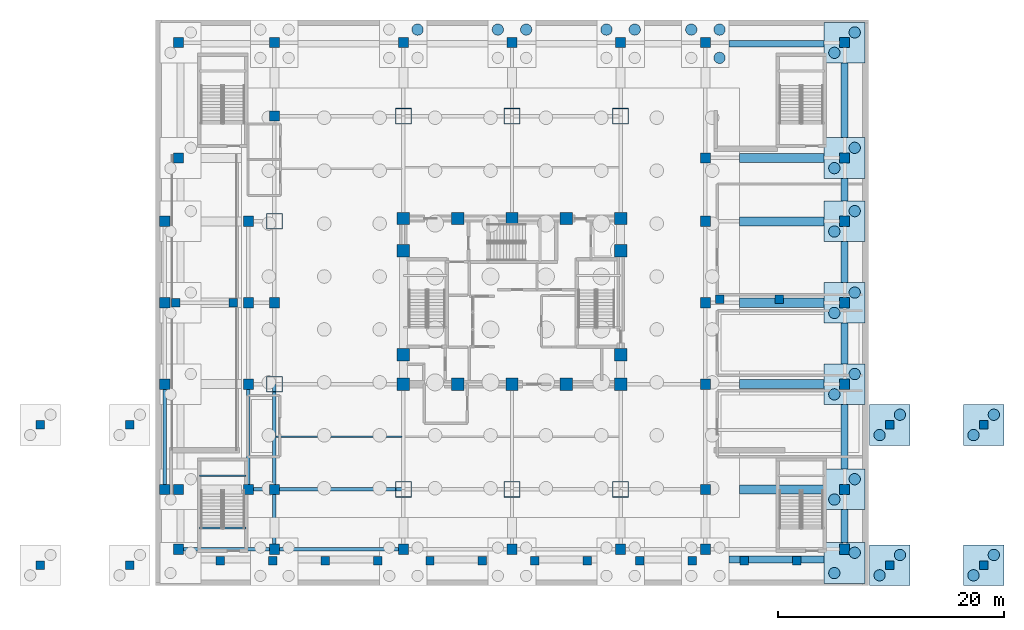
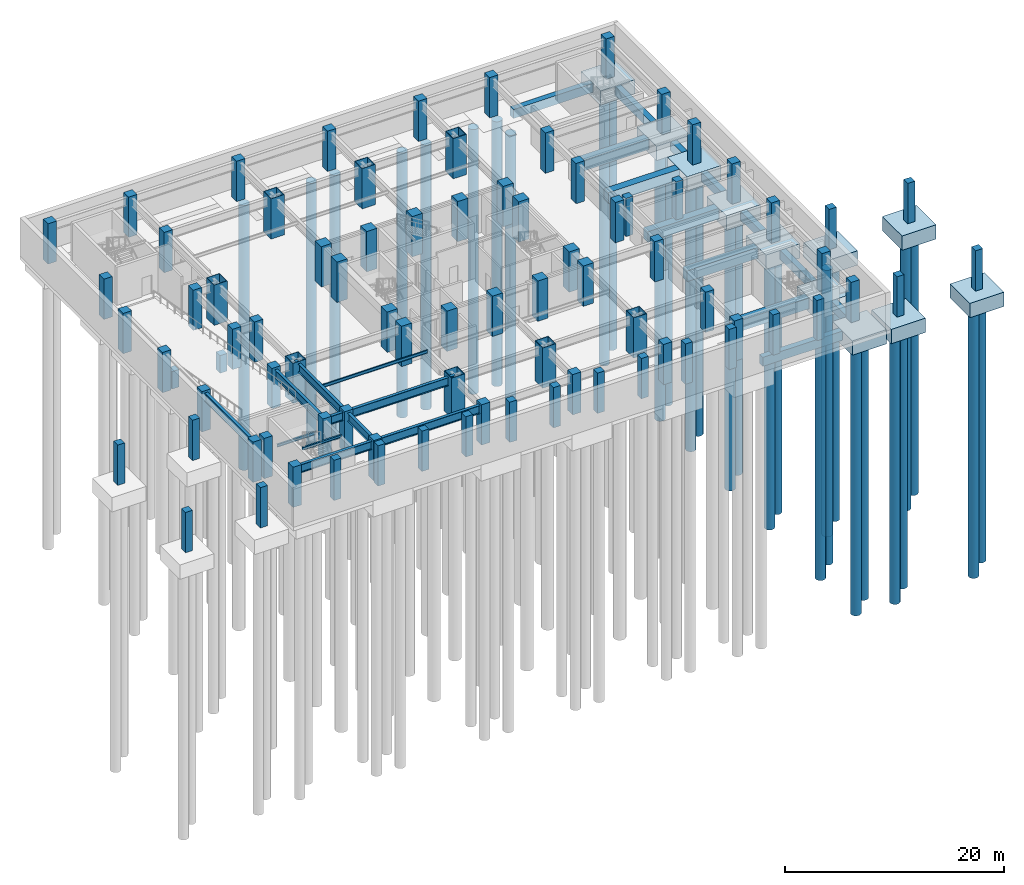
# One storey, part 2 of 12: 83 columns, 30 piles, 24 footings, 11 beams.
"""IFC4 building model written with IfcOpenShell, lengths in metres."""

from ifc_helpers import new_model, si_unit, direction, frame, origin, origin_2d, place, context, subcontext, project, spatial, rectangle, hollow_rectangle, circle, i_section, extrude, material, layer, layer_set, material_profile, profile_set, type_object, element, save


model = new_model("IFC4")

# Units and contexts
model_context = context("Model", 3, precision=1e-05, world=origin(), true_north=direction((0.0, 1.0)))
body_context = subcontext(model_context, "Body", "Model", "MODEL_VIEW")
ifc_project = project(units=[si_unit("LENGTHUNIT", "METRE"), si_unit("AREAUNIT", "SQUARE_METRE"), si_unit("VOLUMEUNIT", "CUBIC_METRE"), si_unit("PLANEANGLEUNIT", "RADIAN"), si_unit("MASSUNIT", "GRAM", prefix="KILO")], contexts=[model_context])

# Site, building, storey
site_placement = place(None, origin())
site = spatial("IfcSite", under=ifc_project, at=site_placement, CompositionType="ELEMENT")
building_placement = place(site_placement, origin())
building = spatial("IfcBuilding", under=site, at=building_placement, Name="Vantalir Tower", CompositionType="ELEMENT")
storey_placement = place(building_placement, frame((0.0, 0.0, -9.0)))
storey = spatial("IfcBuildingStorey", under=building, at=storey_placement, Name="B02", CompositionType="ELEMENT", Elevation=-9.0)

# Footings
ifc_material_1 = material(Name="Concrete C50/60", Category="concrete")
ifc_material_profile_1 = material_profile(ifc_material_1, rectangle(XDim=0.60009765625, YDim=1.0, at=origin_2d()), Name="Concrete C50/60")
ifc_profile_set_1 = profile_set([ifc_material_profile_1], Name="Concrete C50/60")
footing_type_1 = type_object("IfcFootingType", Name="FTG-GB-600x1000", PredefinedType="FOOTING_BEAM", material=ifc_profile_set_1)
footing_1_placement = place(storey_placement, frame((60.89990234375, 3.800048828125, -0.5), z_axis=(0.0, 1.0, 0.0), x_axis=(-1.0, 0.0, 0.0)))
element("IfcFooting", 1, at=footing_1_placement, inside=storey, type_object=footing_type_1, Name="Ground Tie Beam 022 (East Perimeter Tie)", PredefinedType="FOOTING_BEAM", context=body_context, shape_type="SweptSolid", body=[
    extrude(rectangle(XDim=0.60009765625, YDim=1.0, at=origin_2d()), origin(), (0.0, 0.0, 1.0), 2.89990234375),
])
footing_2_placement = place(storey_placement, frame((60.89990234375, 10.300048828125, -0.5), z_axis=(0.0, 1.0, 0.0), x_axis=(-1.0, 0.0, 0.0)))
element("IfcFooting", 2, at=footing_2_placement, inside=storey, type_object=footing_type_1, Name="Ground Tie Beam 024 (East Perimeter Tie)", PredefinedType="FOOTING_BEAM", context=body_context, shape_type="SweptSolid", body=[
    extrude(rectangle(XDim=0.60009765625, YDim=1.0, at=origin_2d()), origin(), (0.0, 0.0, 1.0), 5.699951171875),
])
for number, where, z_axis, x_axis, name in (
    (3, (60.89990234375, 19.60009765625, -0.5), (0.0, 1.0, 0.0), (-1.0, 0.0, 0.0), "Ground Tie Beam 026 (East Perimeter Tie)"),
    (4, (60.89990234375, 26.800048828125, -0.5), (0.0, 1.0, 0.0), (-1.0, 0.0, 0.0), "Ground Tie Beam 028 (East Perimeter Tie)"),
):
    element("IfcFooting", number, at=place(storey_placement, frame(where, z_axis=z_axis, x_axis=x_axis)), inside=storey, type_object=footing_type_1, Name=name, PredefinedType="FOOTING_BEAM", context=body_context, shape_type="SweptSolid", body=[
        extrude(rectangle(XDim=0.60009765625, YDim=1.0, at=origin_2d()), origin(), (0.0, 0.0, 1.0), 3.599853515625),
    ])
footing_3_placement = place(storey_placement, frame((60.89990234375, 34.0, -0.5), z_axis=(0.0, 1.0, 0.0), x_axis=(-1.0, 0.0, 0.0)))
element("IfcFooting", 5, at=footing_3_placement, inside=storey, type_object=footing_type_1, Name="Ground Tie Beam 030 (East Perimeter Tie)", PredefinedType="FOOTING_BEAM", context=body_context, shape_type="SweptSolid", body=[
    extrude(rectangle(XDim=0.60009765625, YDim=1.0, at=origin_2d()), origin(), (0.0, 0.0, 1.0), 2.0),
])
footing_4_placement = place(storey_placement, frame((60.89990234375, 39.60009765625, -0.5), z_axis=(0.0, 1.0, 0.0), x_axis=(-1.0, 0.0, 0.0)))
element("IfcFooting", 6, at=footing_4_placement, inside=storey, type_object=footing_type_1, Name="Ground Tie Beam 032 (East Perimeter Tie)", PredefinedType="FOOTING_BEAM", context=body_context, shape_type="SweptSolid", body=[
    extrude(rectangle(XDim=0.60009765625, YDim=1.0, at=origin_2d()), origin(), (0.0, 0.0, 1.0), 6.599853515625),
])
for number, where, z_axis, x_axis, name in (
    (7, (50.699951171875, 2.300048828125, -0.5), (1.0, 0.0, 0.0), (0.0, 1.0, 0.0), "Ground Tie Beam 043 (South Perimeter Tie)"),
    (8, (50.699951171875, 47.89990234375, -0.5), (1.0, 0.0, 0.0), (0.0, 1.0, 0.0), "Ground Tie Beam 044 (North Perimeter Tie)"),
):
    element("IfcFooting", number, at=place(storey_placement, frame(where, z_axis=z_axis, x_axis=x_axis)), inside=storey, type_object=footing_type_1, Name=name, PredefinedType="FOOTING_BEAM", context=body_context, shape_type="SweptSolid", body=[
        extrude(rectangle(XDim=0.60009765625, YDim=1.0, at=origin_2d()), origin(), (0.0, 0.0, 1.0), 8.400146484375),
    ])
ifc_material_profile_2 = material_profile(ifc_material_1, rectangle(XDim=0.800048828125, YDim=1.199951171875, at=origin_2d()), Name="Concrete C50/60")
ifc_profile_set_2 = profile_set([ifc_material_profile_2], Name="Concrete C50/60")
footing_type_2 = type_object("IfcFootingType", Name="FTG-GB-800x1200", PredefinedType="FOOTING_BEAM", material=ifc_profile_set_2)
for number, where, z_axis, x_axis, name in (
    (9, (51.60009765625, 8.5, -0.60009765625), (1.0, 0.0, 0.0), (0.0, 1.0, 0.0), "Ground Tie Beam 006 (Raft to East Cap)"),
    (10, (51.60009765625, 17.800048828125, -0.60009765625), (1.0, 0.0, 0.0), (0.0, 1.0, 0.0), "Ground Tie Beam 007 (Raft to East Cap)"),
    (11, (51.60009765625, 25.0, -0.60009765625), (1.0, 0.0, 0.0), (0.0, 1.0, 0.0), "Ground Tie Beam 008 (Raft to East Cap)"),
    (12, (51.60009765625, 32.199951171875, -0.60009765625), (1.0, 0.0, 0.0), (0.0, 1.0, 0.0), "Ground Tie Beam 009 (Raft to East Cap)"),
    (13, (51.60009765625, 37.800048828125, -0.60009765625), (1.0, 0.0, 0.0), (0.0, 1.0, 0.0), "Ground Tie Beam 010 (Raft to East Cap)"),
):
    element("IfcFooting", number, at=place(storey_placement, frame(where, z_axis=z_axis, x_axis=x_axis)), inside=storey, type_object=footing_type_2, Name=name, PredefinedType="FOOTING_BEAM", context=body_context, shape_type="SweptSolid", body=[
        extrude(rectangle(XDim=0.800048828125, YDim=1.199951171875, at=origin_2d()), origin(), (0.0, 0.0, 1.0), 7.5),
    ])
ifc_layer = layer(ifc_material_1, 1.60009765625)
ifc_layer_set = layer_set([ifc_layer], Name="Concrete C50/60")
footing_type_3 = type_object("IfcFootingType", Name="FTG-PCAP-3600", PredefinedType="PILE_CAP", material=ifc_layer_set)
for number, where, z_axis, x_axis, name in (
    (14, (60.89990234375, 2.0, -1.60009765625), (0.0, 0.0, 1.0), (1.0, 0.0, 0.0), "Podium Pile Cap FTG-PCE-01"),
    (15, (60.89990234375, 8.5, -1.60009765625), (0.0, 0.0, 1.0), (1.0, 0.0, 0.0), "Podium Pile Cap FTG-PCE-02"),
    (16, (60.89990234375, 17.800048828125, -1.60009765625), (0.0, 0.0, 1.0), (1.0, 0.0, 0.0), "Podium Pile Cap FTG-PCE-03"),
    (17, (60.89990234375, 25.0, -1.60009765625), (0.0, 0.0, 1.0), (1.0, 0.0, 0.0), "Podium Pile Cap FTG-PCE-04"),
    (18, (60.89990234375, 32.199951171875, -1.60009765625), (0.0, 0.0, 1.0), (1.0, 0.0, 0.0), "Podium Pile Cap FTG-PCE-05"),
    (19, (60.89990234375, 37.800048828125, -1.60009765625), (0.0, 0.0, 1.0), (1.0, 0.0, 0.0), "Podium Pile Cap FTG-PCE-06"),
    (20, (60.89990234375, 48.0, -1.60009765625), (0.0, 0.0, 1.0), (1.0, 0.0, 0.0), "Podium Pile Cap FTG-PCE-07"),
    (21, (64.89990234375, 1.800048828125, -1.60009765625), (0.0, 0.0, 1.0), (1.0, 0.0, 0.0), "Marine Boardwalk Pile Cap EAST 1"),
    (22, (73.199951171875, 1.800048828125, -1.60009765625), (0.0, 0.0, 1.0), (1.0, 0.0, 0.0), "Marine Boardwalk Pile Cap EAST 2"),
    (23, (73.199951171875, 14.199951171875, -1.60009765625), (0.0, 0.0, 1.0), (1.0, 0.0, 0.0), "Marine Boardwalk Pile Cap EAST 3"),
    (24, (64.89990234375, 14.199951171875, -1.60009765625), (0.0, 0.0, 1.0), (1.0, 0.0, 0.0), "Marine Boardwalk Pile Cap EAST 4"),
):
    element("IfcFooting", number, at=place(storey_placement, frame(where, z_axis=z_axis, x_axis=x_axis)), inside=storey, type_object=footing_type_3, Name=name, PredefinedType="PILE_CAP", context=body_context, shape_type="SweptSolid", body=[
        extrude(rectangle(XDim=3.60009765625, YDim=3.60009765625, at=origin_2d()), origin(), (0.0, 0.0, 1.0), 1.60009765625),
    ])

# Piles
ifc_material_profile_3 = material_profile(ifc_material_1, circle(Radius=0.5, at=origin_2d()), Name="Concrete C50/60")
ifc_profile_set_3 = profile_set([ifc_material_profile_3], Name="Concrete C50/60")
pile_type = type_object("IfcPileType", Name="PIL-B1000", PredefinedType="BORED", material=ifc_profile_set_3)
for number, where, z_axis, x_axis, name in (
    (25, (60.0, 1.10009765625, -1.449951171875), (0.0, 0.0, -1.0), (1.0, 0.0, 0.0), "Cap Bored Pile FTG-PCE-01 #1"),
    (26, (61.800048828125, 2.89990234375, -1.449951171875), (0.0, 0.0, -1.0), (1.0, 0.0, 0.0), "Cap Bored Pile FTG-PCE-01 #2"),
    (27, (60.0, 7.60009765625, -1.449951171875), (0.0, 0.0, -1.0), (1.0, 0.0, 0.0), "Cap Bored Pile FTG-PCE-02 #1"),
    (28, (61.800048828125, 9.39990234375, -1.449951171875), (0.0, 0.0, -1.0), (1.0, 0.0, 0.0), "Cap Bored Pile FTG-PCE-02 #2"),
    (29, (60.0, 16.89990234375, -1.449951171875), (0.0, 0.0, -1.0), (1.0, 0.0, 0.0), "Cap Bored Pile FTG-PCE-03 #1"),
    (30, (61.800048828125, 18.699951171875, -1.449951171875), (0.0, 0.0, -1.0), (1.0, 0.0, 0.0), "Cap Bored Pile FTG-PCE-03 #2"),
    (31, (60.0, 24.10009765625, -1.449951171875), (0.0, 0.0, -1.0), (1.0, 0.0, 0.0), "Cap Bored Pile FTG-PCE-04 #1"),
    (32, (61.800048828125, 25.89990234375, -1.449951171875), (0.0, 0.0, -1.0), (1.0, 0.0, 0.0), "Cap Bored Pile FTG-PCE-04 #2"),
    (33, (60.0, 31.300048828125, -1.449951171875), (0.0, 0.0, -1.0), (1.0, 0.0, 0.0), "Cap Bored Pile FTG-PCE-05 #1"),
    (34, (61.800048828125, 33.10009765625, -1.449951171875), (0.0, 0.0, -1.0), (1.0, 0.0, 0.0), "Cap Bored Pile FTG-PCE-05 #2"),
    (35, (60.0, 36.89990234375, -1.449951171875), (0.0, 0.0, -1.0), (1.0, 0.0, 0.0), "Cap Bored Pile FTG-PCE-06 #1"),
    (36, (61.800048828125, 38.699951171875, -1.449951171875), (0.0, 0.0, -1.0), (1.0, 0.0, 0.0), "Cap Bored Pile FTG-PCE-06 #2"),
    (37, (60.0, 47.10009765625, -1.449951171875), (0.0, 0.0, -1.0), (1.0, 0.0, 0.0), "Cap Bored Pile FTG-PCE-07 #1"),
    (38, (61.800048828125, 48.89990234375, -1.449951171875), (0.0, 0.0, -1.0), (1.0, 0.0, 0.0), "Cap Bored Pile FTG-PCE-07 #2"),
):
    element("IfcPile", number, at=place(storey_placement, frame(where, z_axis=z_axis, x_axis=x_axis)), inside=storey, type_object=pile_type, Name=name, PredefinedType="BORED", context=body_context, shape_type="SweptSolid", body=[
        extrude(circle(Radius=0.5, at=origin_2d()), origin(), (0.0, 0.0, 1.0), 29.75),
    ])
for number, where, z_axis, x_axis, name in (
    (39, (23.14990234375, 49.14990234375, -1.64990234375), (0.0, 0.0, -1.0), (1.0, 0.0, 0.0), "Cap Bored Pile FTG-PCN-02 #4"),
    (40, (30.25, 49.14990234375, -1.64990234375), (0.0, 0.0, -1.0), (1.0, 0.0, 0.0), "Cap Bored Pile FTG-PCN-03 #3"),
    (41, (32.75, 49.14990234375, -1.64990234375), (0.0, 0.0, -1.0), (1.0, 0.0, 0.0), "Cap Bored Pile FTG-PCN-03 #4"),
    (42, (39.85009765625, 49.14990234375, -1.64990234375), (0.0, 0.0, -1.0), (1.0, 0.0, 0.0), "Cap Bored Pile FTG-PCN-04 #3"),
    (43, (42.35009765625, 49.14990234375, -1.64990234375), (0.0, 0.0, -1.0), (1.0, 0.0, 0.0), "Cap Bored Pile FTG-PCN-04 #4"),
    (44, (49.85009765625, 46.64990234375, -1.64990234375), (0.0, 0.0, -1.0), (1.0, 0.0, 0.0), "Cap Bored Pile FTG-PCN-05 #2"),
    (45, (47.35009765625, 49.14990234375, -1.64990234375), (0.0, 0.0, -1.0), (1.0, 0.0, 0.0), "Cap Bored Pile FTG-PCN-05 #3"),
    (46, (49.85009765625, 49.14990234375, -1.64990234375), (0.0, 0.0, -1.0), (1.0, 0.0, 0.0), "Cap Bored Pile FTG-PCN-05 #4"),
):
    element("IfcPile", number, at=place(storey_placement, frame(where, z_axis=z_axis, x_axis=x_axis)), inside=storey, type_object=pile_type, Name=name, PredefinedType="BORED", context=body_context, shape_type="SweptSolid", body=[
        extrude(circle(Radius=0.5, at=origin_2d()), origin(), (0.0, 0.0, 1.0), 29.550048828125),
    ])
for number, where, z_axis, x_axis, name in (
    (47, (64.0, 0.89990234375, -1.449951171875), (0.0, 0.0, -1.0), (1.0, 0.0, 0.0), "Marine Boardwalk Bored Pile EAST 1-1"),
    (48, (65.800048828125, 2.699951171875, -1.449951171875), (0.0, 0.0, -1.0), (1.0, 0.0, 0.0), "Marine Boardwalk Bored Pile EAST 1-2"),
    (49, (72.300048828125, 0.89990234375, -1.449951171875), (0.0, 0.0, -1.0), (1.0, 0.0, 0.0), "Marine Boardwalk Bored Pile EAST 2-1"),
    (50, (74.10009765625, 2.699951171875, -1.449951171875), (0.0, 0.0, -1.0), (1.0, 0.0, 0.0), "Marine Boardwalk Bored Pile EAST 2-2"),
    (51, (72.300048828125, 13.300048828125, -1.449951171875), (0.0, 0.0, -1.0), (1.0, 0.0, 0.0), "Marine Boardwalk Bored Pile EAST 3-1"),
    (52, (74.10009765625, 15.10009765625, -1.449951171875), (0.0, 0.0, -1.0), (1.0, 0.0, 0.0), "Marine Boardwalk Bored Pile EAST 3-2"),
    (53, (64.0, 13.300048828125, -1.449951171875), (0.0, 0.0, -1.0), (1.0, 0.0, 0.0), "Marine Boardwalk Bored Pile EAST 4-1"),
    (54, (65.800048828125, 15.10009765625, -1.449951171875), (0.0, 0.0, -1.0), (1.0, 0.0, 0.0), "Marine Boardwalk Bored Pile EAST 4-2"),
):
    element("IfcPile", number, at=place(storey_placement, frame(where, z_axis=z_axis, x_axis=x_axis)), inside=storey, type_object=pile_type, Name=name, PredefinedType="BORED", context=body_context, shape_type="SweptSolid", body=[
        extrude(circle(Radius=0.5, at=origin_2d()), origin(), (0.0, 0.0, 1.0), 29.75),
    ])

# Columns
ifc_material_2 = material(Name="Concrete C60/75", Category="concrete")
ifc_material_profile_4 = material_profile(ifc_material_2, rectangle(XDim=1.10009765625, YDim=1.10009765625, at=origin_2d()), Name="Concrete C60/75")
ifc_profile_set_4 = profile_set([ifc_material_profile_4], Name="Concrete C60/75")
column_type_1 = type_object("IfcColumnType", Name="COL-CC-1100", PredefinedType="COLUMN", material=ifc_profile_set_4)
for number, where, z_axis, x_axis, name in (
    (55, (21.89990234375, 17.800048828125, 0.0), (0.0, 0.0, 1.0), (1.0, 0.0, 0.0), "B02 Core Column CC01"),
    (56, (26.699951171875, 17.800048828125, 0.0), (0.0, 0.0, 1.0), (1.0, 0.0, 0.0), "B02 Core Column CC02"),
    (57, (31.5, 17.800048828125, 0.0), (0.0, 0.0, 1.0), (1.0, 0.0, 0.0), "B02 Core Column CC03"),
    (58, (36.300048828125, 17.800048828125, 0.0), (0.0, 0.0, 1.0), (1.0, 0.0, 0.0), "B02 Core Column CC04"),
    (59, (41.10009765625, 17.800048828125, 0.0), (0.0, 0.0, 1.0), (1.0, 0.0, 0.0), "B02 Core Column CC05"),
    (60, (21.89990234375, 20.39990234375, 0.0), (0.0, 0.0, 1.0), (1.0, 0.0, 0.0), "B02 Core Column CC06"),
    (61, (21.89990234375, 29.60009765625, 0.0), (0.0, 0.0, 1.0), (1.0, 0.0, 0.0), "B02 Core Column CC07"),
    (62, (41.10009765625, 20.39990234375, 0.0), (0.0, 0.0, 1.0), (1.0, 0.0, 0.0), "B02 Core Column CC08"),
    (63, (41.10009765625, 29.60009765625, 0.0), (0.0, 0.0, 1.0), (1.0, 0.0, 0.0), "B02 Core Column CC09"),
    (64, (21.89990234375, 32.449951171875, 0.0), (0.0, 0.0, 1.0), (1.0, 0.0, 0.0), "B02 Core Column CC10"),
    (65, (26.699951171875, 32.449951171875, 0.0), (0.0, 0.0, 1.0), (1.0, 0.0, 0.0), "B02 Core Column CC11"),
    (66, (31.5, 32.449951171875, 0.0), (0.0, 0.0, 1.0), (1.0, 0.0, 0.0), "B02 Core Column CC12"),
    (67, (36.300048828125, 32.449951171875, 0.0), (0.0, 0.0, 1.0), (1.0, 0.0, 0.0), "B02 Core Column CC13"),
    (68, (41.10009765625, 32.449951171875, 0.0), (0.0, 0.0, 1.0), (1.0, 0.0, 0.0), "B02 Core Column CC14"),
):
    element("IfcColumn", number, at=place(storey_placement, frame(where, z_axis=z_axis, x_axis=x_axis)), inside=storey, type_object=column_type_1, Name=name, PredefinedType="COLUMN", context=body_context, shape_type="SweptSolid", body=[
        extrude(rectangle(XDim=1.10009765625, YDim=1.10009765625, at=origin_2d()), origin(), (0.0, 0.0, 1.0), 4.5),
    ])
ifc_material_3 = material(Name="Steel S460", Category="steel")
ifc_material_profile_5 = material_profile(ifc_material_3, hollow_rectangle(XDim=1.39990234375, YDim=1.39990234375, WallThickness=0.050048828125, at=origin_2d()), Name="Steel S460")
ifc_profile_set_5 = profile_set([ifc_material_profile_5], Name="Steel S460")
column_type_2 = type_object("IfcColumnType", Name="COL-MC-1400", PredefinedType="COLUMN", material=ifc_profile_set_5)
for number, where, z_axis, x_axis, name in (
    (69, (21.89990234375, 8.5, 0.0), (0.0, 0.0, 1.0), (1.0, 0.0, 0.0), "B02 S460 Mega-Column MC01"),
    (70, (31.5, 8.5, 0.0), (0.0, 0.0, 1.0), (1.0, 0.0, 0.0), "B02 S460 Mega-Column MC02"),
    (71, (41.10009765625, 8.5, 0.0), (0.0, 0.0, 1.0), (1.0, 0.0, 0.0), "B02 S460 Mega-Column MC03"),
    (72, (10.5, 17.800048828125, 0.0), (0.0, 0.0, 1.0), (1.0, 0.0, 0.0), "B02 S460 Mega-Column MC04"),
    (73, (10.5, 32.199951171875, 0.0), (0.0, 0.0, 1.0), (1.0, 0.0, 0.0), "B02 S460 Mega-Column MC05"),
    (74, (21.89990234375, 41.5, 0.0), (0.0, 0.0, 1.0), (1.0, 0.0, 0.0), "B02 S460 Mega-Column MC06"),
    (75, (31.5, 41.5, 0.0), (0.0, 0.0, 1.0), (1.0, 0.0, 0.0), "B02 S460 Mega-Column MC07"),
    (76, (41.10009765625, 41.5, 0.0), (0.0, 0.0, 1.0), (1.0, 0.0, 0.0), "B02 S460 Mega-Column MC08"),
):
    element("IfcColumn", number, at=place(storey_placement, frame(where, z_axis=z_axis, x_axis=x_axis)), inside=storey, type_object=column_type_2, Name=name, PredefinedType="COLUMN", context=body_context, shape_type="SweptSolid", body=[
        extrude(hollow_rectangle(XDim=1.39990234375, YDim=1.39990234375, WallThickness=0.050048828125, at=origin_2d()), origin(), (0.0, 0.0, 1.0), 4.5),
    ])
ifc_material_profile_6 = material_profile(ifc_material_1, rectangle(XDim=0.75, YDim=0.75, at=origin_2d()), Name="Concrete C50/60")
ifc_profile_set_6 = profile_set([ifc_material_profile_6], Name="Concrete C50/60")
column_type_3 = type_object("IfcColumnType", Name="COL-PC-750", PredefinedType="COLUMN", material=ifc_profile_set_6)
for number, where, z_axis, x_axis, name in (
    (77, (-10.199951171875, 1.800048828125, 0.0), (0.0, 0.0, 1.0), (1.0, 0.0, 0.0), "B02 Marine Boardwalk Pier WEST 1"),
    (78, (-2.300048828125, 1.800048828125, 0.0), (0.0, 0.0, 1.0), (1.0, 0.0, 0.0), "B02 Marine Boardwalk Pier WEST 2"),
    (79, (-2.300048828125, 14.199951171875, 0.0), (0.0, 0.0, 1.0), (1.0, 0.0, 0.0), "B02 Marine Boardwalk Pier WEST 3"),
    (80, (-10.199951171875, 14.199951171875, 0.0), (0.0, 0.0, 1.0), (1.0, 0.0, 0.0), "B02 Marine Boardwalk Pier WEST 4"),
    (81, (64.89990234375, 1.800048828125, 0.0), (0.0, 0.0, 1.0), (1.0, 0.0, 0.0), "B02 Marine Boardwalk Pier EAST 1"),
    (82, (73.199951171875, 1.800048828125, 0.0), (0.0, 0.0, 1.0), (1.0, 0.0, 0.0), "B02 Marine Boardwalk Pier EAST 2"),
    (83, (73.199951171875, 14.199951171875, 0.0), (0.0, 0.0, 1.0), (1.0, 0.0, 0.0), "B02 Marine Boardwalk Pier EAST 3"),
    (84, (64.89990234375, 14.199951171875, 0.0), (0.0, 0.0, 1.0), (1.0, 0.0, 0.0), "B02 Marine Boardwalk Pier EAST 4"),
    (85, (5.717041015625, 2.199951171875, 0.0), (0.0, 0.0, 1.0), (1.0, 0.0, 0.0), "B02 Waterfront Colonnade Substructure Pier 01"),
    (86, (10.35009765625, 2.199951171875, 0.0), (0.0, 0.0, 1.0), (1.0, 0.0, 0.0), "B02 Waterfront Colonnade Substructure Pier 02"),
    (87, (14.98291015625, 2.199951171875, 0.0), (0.0, 0.0, 1.0), (1.0, 0.0, 0.0), "B02 Waterfront Colonnade Substructure Pier 03"),
    (88, (19.616943359375, 2.199951171875, 0.0), (0.0, 0.0, 1.0), (1.0, 0.0, 0.0), "B02 Waterfront Colonnade Substructure Pier 04"),
    (89, (24.25, 2.199951171875, 0.0), (0.0, 0.0, 1.0), (1.0, 0.0, 0.0), "B02 Waterfront Colonnade Substructure Pier 05"),
    (90, (28.883056640625, 2.199951171875, 0.0), (0.0, 0.0, 1.0), (1.0, 0.0, 0.0), "B02 Waterfront Colonnade Substructure Pier 06"),
    (91, (33.51708984375, 2.199951171875, 0.0), (0.0, 0.0, 1.0), (1.0, 0.0, 0.0), "B02 Waterfront Colonnade Substructure Pier 07"),
    (92, (38.14990234375, 2.199951171875, 0.0), (0.0, 0.0, 1.0), (1.0, 0.0, 0.0), "B02 Waterfront Colonnade Substructure Pier 08"),
    (93, (42.782958984375, 2.199951171875, 0.0), (0.0, 0.0, 1.0), (1.0, 0.0, 0.0), "B02 Waterfront Colonnade Substructure Pier 09"),
    (94, (47.4169921875, 2.199951171875, 0.0), (0.0, 0.0, 1.0), (1.0, 0.0, 0.0), "B02 Waterfront Colonnade Substructure Pier 10"),
    (95, (52.050048828125, 2.199951171875, 0.0), (0.0, 0.0, 1.0), (1.0, 0.0, 0.0), "B02 Waterfront Colonnade Substructure Pier 11"),
    (96, (56.68310546875, 2.199951171875, 0.0), (0.0, 0.0, 1.0), (1.0, 0.0, 0.0), "B02 Waterfront Colonnade Substructure Pier 12"),
):
    element("IfcColumn", number, at=place(storey_placement, frame(where, z_axis=z_axis, x_axis=x_axis)), inside=storey, type_object=column_type_3, Name=name, PredefinedType="COLUMN", context=body_context, shape_type="SweptSolid", body=[
        extrude(rectangle(XDim=0.75, YDim=0.75, at=origin_2d()), origin(), (0.0, 0.0, 1.0), 4.5),
    ])
for number, where, z_axis, x_axis, name in (
    (97, (49.85009765625, 25.300048828125, 0.0), (0.0, 0.0, 1.0), (1.0, 0.0, 0.0), "B02 Car Park Ramp VR1 Mid-Span Pier Column 1"),
    (98, (55.14990234375, 25.300048828125, 0.0), (0.0, 0.0, 1.0), (1.0, 0.0, 0.0), "B02 Car Park Ramp VR1 Mid-Span Pier Column 2"),
):
    element("IfcColumn", number, at=place(storey_placement, frame(where, z_axis=z_axis, x_axis=x_axis)), inside=storey, type_object=column_type_3, Name=name, PredefinedType="COLUMN", context=body_context, shape_type="SweptSolid", body=[
        extrude(rectangle(XDim=0.75, YDim=0.75, at=origin_2d()), origin(), (0.0, 0.0, 1.0), 4.25),
    ])
for number, where, z_axis, x_axis, name in (
    (99, (1.75, 25.0, 0.0), (0.0, 0.0, 1.0), (1.0, 0.0, 0.0), "B02 Car Park Ramp VR2 Mid-Span Pier Column 1"),
    (100, (6.85009765625, 25.0, 0.0), (0.0, 0.0, 1.0), (1.0, 0.0, 0.0), "B02 Car Park Ramp VR2 Mid-Span Pier Column 2"),
):
    element("IfcColumn", number, at=place(storey_placement, frame(where, z_axis=z_axis, x_axis=x_axis)), inside=storey, type_object=column_type_3, Name=name, PredefinedType="COLUMN", context=body_context, shape_type="SweptSolid", body=[
        extrude(rectangle(XDim=0.75, YDim=0.75, at=origin_2d()), origin(), (0.0, 0.0, 1.0), 1.9599609375),
    ])
ifc_material_profile_7 = material_profile(ifc_material_2, rectangle(XDim=0.89990234375, YDim=0.89990234375, at=origin_2d()), Name="Concrete C60/75")
ifc_profile_set_7 = profile_set([ifc_material_profile_7], Name="Concrete C60/75")
column_type_4 = type_object("IfcColumnType", Name="COL-PC-900", PredefinedType="COLUMN", material=ifc_profile_set_7)
for number, where, z_axis, x_axis, name in (
    (101, (2.0, 3.199951171875, 0.0), (0.0, 0.0, 1.0), (1.0, 0.0, 0.0), "B02 Podium Column PC01"),
    (102, (8.199951171875, 8.5, 0.0), (0.0, 0.0, 1.0), (1.0, 0.0, 0.0), "B02 Podium Column PC02"),
    (103, (8.199951171875, 17.800048828125, 0.0), (0.0, 0.0, 1.0), (1.0, 0.0, 0.0), "B02 Podium Column PC03"),
    (104, (8.199951171875, 25.0, 0.0), (0.0, 0.0, 1.0), (1.0, 0.0, 0.0), "B02 Podium Column PC04"),
    (105, (8.199951171875, 32.199951171875, 0.0), (0.0, 0.0, 1.0), (1.0, 0.0, 0.0), "B02 Podium Column PC05"),
    (106, (2.0, 37.800048828125, 0.0), (0.0, 0.0, 1.0), (1.0, 0.0, 0.0), "B02 Podium Column PC06"),
    (107, (2.0, 48.0, 0.0), (0.0, 0.0, 1.0), (1.0, 0.0, 0.0), "B02 Podium Column PC07"),
    (108, (2.0, 8.5, 0.0), (0.0, 0.0, 1.0), (1.0, 0.0, 0.0), "B02 Podium Column PC08"),
    (109, (10.5, 3.199951171875, 0.0), (0.0, 0.0, 1.0), (1.0, 0.0, 0.0), "B02 Podium Column PC12"),
    (110, (10.5, 8.5, 0.0), (0.0, 0.0, 1.0), (1.0, 0.0, 0.0), "B02 Podium Column PC13"),
    (111, (10.5, 25.0, 0.0), (0.0, 0.0, 1.0), (1.0, 0.0, 0.0), "B02 Podium Column PC14"),
    (112, (10.5, 41.5, 0.0), (0.0, 0.0, 1.0), (1.0, 0.0, 0.0), "B02 Podium Column PC15"),
    (113, (10.5, 48.0, 0.0), (0.0, 0.0, 1.0), (1.0, 0.0, 0.0), "B02 Podium Column PC16"),
    (114, (21.89990234375, 3.199951171875, 0.0), (0.0, 0.0, 1.0), (1.0, 0.0, 0.0), "B02 Podium Column PC17"),
    (115, (31.5, 3.199951171875, 0.0), (0.0, 0.0, 1.0), (1.0, 0.0, 0.0), "B02 Podium Column PC18"),
    (116, (41.10009765625, 3.199951171875, 0.0), (0.0, 0.0, 1.0), (1.0, 0.0, 0.0), "B02 Podium Column PC19"),
    (117, (48.60009765625, 3.199951171875, 0.0), (0.0, 0.0, 1.0), (1.0, 0.0, 0.0), "B02 Podium Column PC20"),
    (118, (48.60009765625, 8.5, 0.0), (0.0, 0.0, 1.0), (1.0, 0.0, 0.0), "B02 Podium Column PC21"),
    (119, (21.89990234375, 48.0, 0.0), (0.0, 0.0, 1.0), (1.0, 0.0, 0.0), "B02 Podium Column PC22"),
    (120, (31.5, 48.0, 0.0), (0.0, 0.0, 1.0), (1.0, 0.0, 0.0), "B02 Podium Column PC23"),
    (121, (41.10009765625, 48.0, 0.0), (0.0, 0.0, 1.0), (1.0, 0.0, 0.0), "B02 Podium Column PC24"),
    (122, (48.60009765625, 48.0, 0.0), (0.0, 0.0, 1.0), (1.0, 0.0, 0.0), "B02 Podium Column PC25"),
    (123, (48.60009765625, 17.800048828125, 0.0), (0.0, 0.0, 1.0), (1.0, 0.0, 0.0), "B02 Podium Column PC26"),
    (124, (48.60009765625, 25.0, 0.0), (0.0, 0.0, 1.0), (1.0, 0.0, 0.0), "B02 Podium Column PC27"),
    (125, (48.60009765625, 32.199951171875, 0.0), (0.0, 0.0, 1.0), (1.0, 0.0, 0.0), "B02 Podium Column PC28"),
    (126, (48.60009765625, 37.800048828125, 0.0), (0.0, 0.0, 1.0), (1.0, 0.0, 0.0), "B02 Podium Column PC29"),
    (127, (60.89990234375, 3.199951171875, 0.0), (0.0, 0.0, 1.0), (1.0, 0.0, 0.0), "B02 Podium Column PC30"),
    (128, (60.89990234375, 8.5, 0.0), (0.0, 0.0, 1.0), (1.0, 0.0, 0.0), "B02 Podium Column PC31"),
    (129, (60.89990234375, 17.800048828125, 0.0), (0.0, 0.0, 1.0), (1.0, 0.0, 0.0), "B02 Podium Column PC32"),
    (130, (60.89990234375, 25.0, 0.0), (0.0, 0.0, 1.0), (1.0, 0.0, 0.0), "B02 Podium Column PC33"),
    (131, (60.89990234375, 32.199951171875, 0.0), (0.0, 0.0, 1.0), (1.0, 0.0, 0.0), "B02 Podium Column PC34"),
    (132, (60.89990234375, 37.800048828125, 0.0), (0.0, 0.0, 1.0), (1.0, 0.0, 0.0), "B02 Podium Column PC35"),
    (133, (60.89990234375, 48.0, 0.0), (0.0, 0.0, 1.0), (1.0, 0.0, 0.0), "B02 Podium Column PC36"),
    (134, (0.800048828125, 8.5, 0.0), (0.0, 0.0, 1.0), (1.0, 0.0, 0.0), "B02 West Ramp Pier Column PCRW01"),
    (135, (0.800048828125, 17.800048828125, 0.0), (0.0, 0.0, 1.0), (1.0, 0.0, 0.0), "B02 West Ramp Pier Column PCRW02"),
    (136, (0.800048828125, 25.0, 0.0), (0.0, 0.0, 1.0), (1.0, 0.0, 0.0), "B02 West Ramp Pier Column PCRW03"),
    (137, (0.800048828125, 32.199951171875, 0.0), (0.0, 0.0, 1.0), (1.0, 0.0, 0.0), "B02 West Ramp Pier Column PCRW04"),
):
    element("IfcColumn", number, at=place(storey_placement, frame(where, z_axis=z_axis, x_axis=x_axis)), inside=storey, type_object=column_type_4, Name=name, PredefinedType="COLUMN", context=body_context, shape_type="SweptSolid", body=[
        extrude(rectangle(XDim=0.89990234375, YDim=0.89990234375, at=origin_2d()), origin(), (0.0, 0.0, 1.0), 4.5),
    ])

# Beams
ifc_material_4 = material(Name="Steel S355", Category="steel")
ifc_material_profile_8 = material_profile(ifc_material_4, i_section(OverallWidth=0.166015625, OverallDepth=0.306884765625, WebThickness=0.006591796875, FlangeThickness=0.01171875, at=origin_2d()), Name="Steel S355")
ifc_profile_set_8 = profile_set([ifc_material_profile_8], Name="Steel S355")
beam_type_1 = type_object("IfcBeamType", Name="BM-JS-305x165", PredefinedType="JOIST", material=ifc_profile_set_8)
for number, where, z_axis, x_axis, name in (
    (138, (3.860107421875, 5.094970703125, 4.345947265625), (1.0, 0.0, 0.0), (0.0, 1.0, 0.0), "B01 Stair PST3 Well Nosing Trimmer Beam"),
    (139, (3.860107421875, 9.705078125, 1.89599609375), (1.0, 0.0, 0.0), (0.0, 1.0, 0.0), "B02 Stair PST3 Half-Landing Support Beam"),
):
    element("IfcBeam", number, at=place(storey_placement, frame(where, z_axis=z_axis, x_axis=x_axis)), inside=storey, type_object=beam_type_1, Name=name, PredefinedType="JOIST", context=body_context, shape_type="SweptSolid", body=[
        extrude(i_section(OverallWidth=0.166015625, OverallDepth=0.306884765625, WebThickness=0.006591796875, FlangeThickness=0.01171875, at=origin_2d()), origin(), (0.0, 0.0, 1.0), 4.1298828125),
    ])
ifc_material_profile_9 = material_profile(ifc_material_4, i_section(OverallWidth=0.1259765625, OverallDepth=0.35302734375, WebThickness=0.006591796875, FlangeThickness=0.0107421875, at=origin_2d()), Name="Steel S355")
ifc_profile_set_9 = profile_set([ifc_material_profile_9], Name="Steel S355")
beam_type_2 = type_object("IfcBeamType", Name="BM-JS-356x127", PredefinedType="JOIST", material=ifc_profile_set_9)
beam_1_placement = place(storey_placement, frame((10.64501953125, 13.14990234375, 4.073974609375), z_axis=(1.0, 0.0, 0.0), x_axis=(0.0, 1.0, 0.0)))
element("IfcBeam", 140, at=beam_1_placement, inside=storey, type_object=beam_type_2, Name="B02 Secondary Composite Joist 01", PredefinedType="JOIST", context=body_context, shape_type="SweptSolid", body=[
    extrude(i_section(OverallWidth=0.1259765625, OverallDepth=0.35302734375, WebThickness=0.006591796875, FlangeThickness=0.0107421875, at=origin_2d()), origin(), (0.0, 0.0, 1.0), 11.10986328125),
])
ifc_material_profile_10 = material_profile(ifc_material_4, i_section(OverallWidth=0.30810546875, OverallDepth=0.927001953125, WebThickness=0.01953125, FlangeThickness=0.031982421875, at=origin_2d()), Name="Steel S355")
ifc_profile_set_10 = profile_set([ifc_material_profile_10], Name="Steel S355")
beam_type_3 = type_object("IfcBeamType", Name="BM-PG-914x305", PredefinedType="USERDEFINED", material=ifc_profile_set_10)
beam_2_placement = place(storey_placement, frame((2.0, 3.199951171875, 3.785888671875), z_axis=(1.0, 0.0, 0.0), x_axis=(0.0, 1.0, 0.0)))
element("IfcBeam", 141, at=beam_2_placement, inside=storey, type_object=beam_type_3, Name="B02 Podium E-W Girder 01", ObjectType="GIRDER", PredefinedType="USERDEFINED", context=body_context, shape_type="SweptSolid", body=[
    extrude(i_section(OverallWidth=0.30810546875, OverallDepth=0.927001953125, WebThickness=0.01953125, FlangeThickness=0.031982421875, at=origin_2d()), origin(), (0.0, 0.0, 1.0), 8.5),
])
beam_3_placement = place(storey_placement, frame((10.5, 3.199951171875, 3.785888671875), z_axis=(1.0, 0.0, 0.0), x_axis=(0.0, 1.0, 0.0)))
element("IfcBeam", 142, at=beam_3_placement, inside=storey, type_object=beam_type_3, Name="B02 Podium E-W Girder 02", ObjectType="GIRDER", PredefinedType="USERDEFINED", context=body_context, shape_type="SweptSolid", body=[
    extrude(i_section(OverallWidth=0.30810546875, OverallDepth=0.927001953125, WebThickness=0.01953125, FlangeThickness=0.031982421875, at=origin_2d()), origin(), (0.0, 0.0, 1.0), 11.39990234375),
])
beam_4_placement = place(storey_placement, frame((8.199951171875, 8.5, 3.785888671875), z_axis=(1.0, 0.0, 0.0), x_axis=(0.0, 1.0, 0.0)))
element("IfcBeam", 143, at=beam_4_placement, inside=storey, type_object=beam_type_3, Name="B02 Podium E-W Girder 07", ObjectType="GIRDER", PredefinedType="USERDEFINED", context=body_context, shape_type="SweptSolid", body=[
    extrude(i_section(OverallWidth=0.30810546875, OverallDepth=0.927001953125, WebThickness=0.01953125, FlangeThickness=0.031982421875, at=origin_2d()), origin(), (0.0, 0.0, 1.0), 2.300048828125),
])
beam_5_placement = place(storey_placement, frame((10.5, 8.5, 3.785888671875), z_axis=(1.0, 0.0, 0.0), x_axis=(0.0, 1.0, 0.0)))
element("IfcBeam", 144, at=beam_5_placement, inside=storey, type_object=beam_type_3, Name="B02 Podium E-W Girder 08", ObjectType="GIRDER", PredefinedType="USERDEFINED", context=body_context, shape_type="SweptSolid", body=[
    extrude(i_section(OverallWidth=0.30810546875, OverallDepth=0.927001953125, WebThickness=0.01953125, FlangeThickness=0.031982421875, at=origin_2d()), origin(), (0.0, 0.0, 1.0), 11.39990234375),
])
for number, where, z_axis, x_axis, name in (
    (145, (0.800048828125, 8.5, 3.785888671875), (0.0, 1.0, 0.0), (-1.0, 0.0, 0.0), "B02 Podium N-S Girder 38"),
    (146, (8.199951171875, 8.5, 3.785888671875), (0.0, 1.0, 0.0), (-1.0, 0.0, 0.0), "B02 Podium N-S Girder 41"),
):
    element("IfcBeam", number, at=place(storey_placement, frame(where, z_axis=z_axis, x_axis=x_axis)), inside=storey, type_object=beam_type_3, Name=name, ObjectType="GIRDER", PredefinedType="USERDEFINED", context=body_context, shape_type="SweptSolid", body=[
        extrude(i_section(OverallWidth=0.30810546875, OverallDepth=0.927001953125, WebThickness=0.01953125, FlangeThickness=0.031982421875, at=origin_2d()), origin(), (0.0, 0.0, 1.0), 9.300048828125),
    ])
beam_6_placement = place(storey_placement, frame((10.5, 3.199951171875, 3.785888671875), z_axis=(0.0, 1.0, 0.0), x_axis=(-1.0, 0.0, 0.0)))
element("IfcBeam", 147, at=beam_6_placement, inside=storey, type_object=beam_type_3, Name="B02 Podium N-S Girder 44", ObjectType="GIRDER", PredefinedType="USERDEFINED", context=body_context, shape_type="SweptSolid", body=[
    extrude(i_section(OverallWidth=0.30810546875, OverallDepth=0.927001953125, WebThickness=0.01953125, FlangeThickness=0.031982421875, at=origin_2d()), origin(), (0.0, 0.0, 1.0), 5.300048828125),
])
beam_7_placement = place(storey_placement, frame((10.5, 8.5, 3.785888671875), z_axis=(0.0, 1.0, 0.0), x_axis=(-1.0, 0.0, 0.0)))
element("IfcBeam", 148, at=beam_7_placement, inside=storey, type_object=beam_type_3, Name="B02 Podium N-S Girder 45", ObjectType="GIRDER", PredefinedType="USERDEFINED", context=body_context, shape_type="SweptSolid", body=[
    extrude(i_section(OverallWidth=0.30810546875, OverallDepth=0.927001953125, WebThickness=0.01953125, FlangeThickness=0.031982421875, at=origin_2d()), origin(), (0.0, 0.0, 1.0), 9.300048828125),
])

save(model, "model.ifc")
